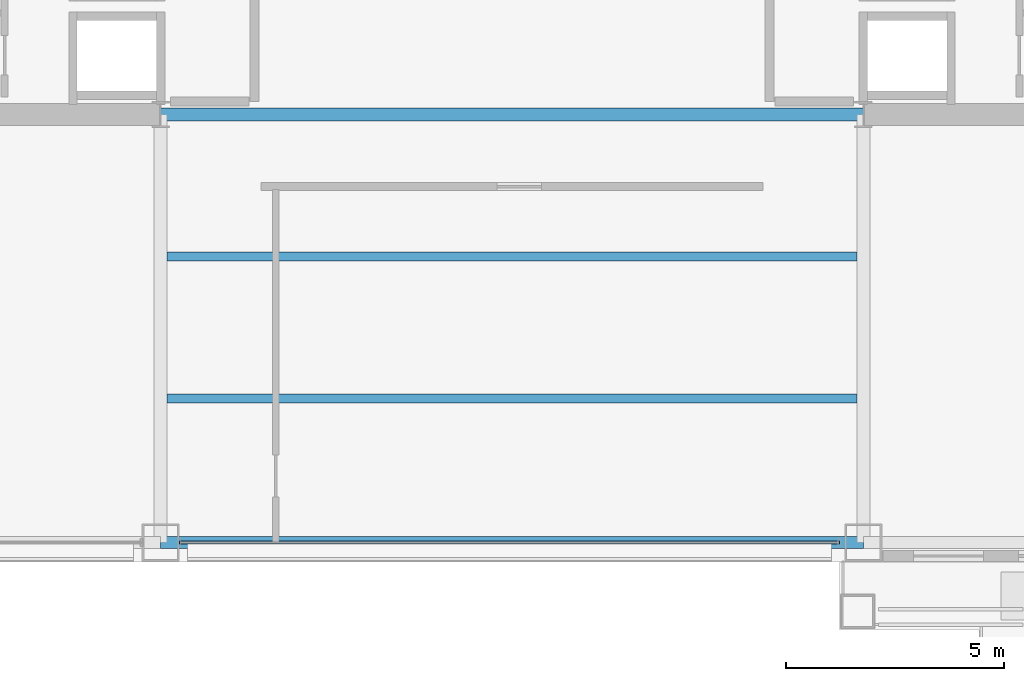
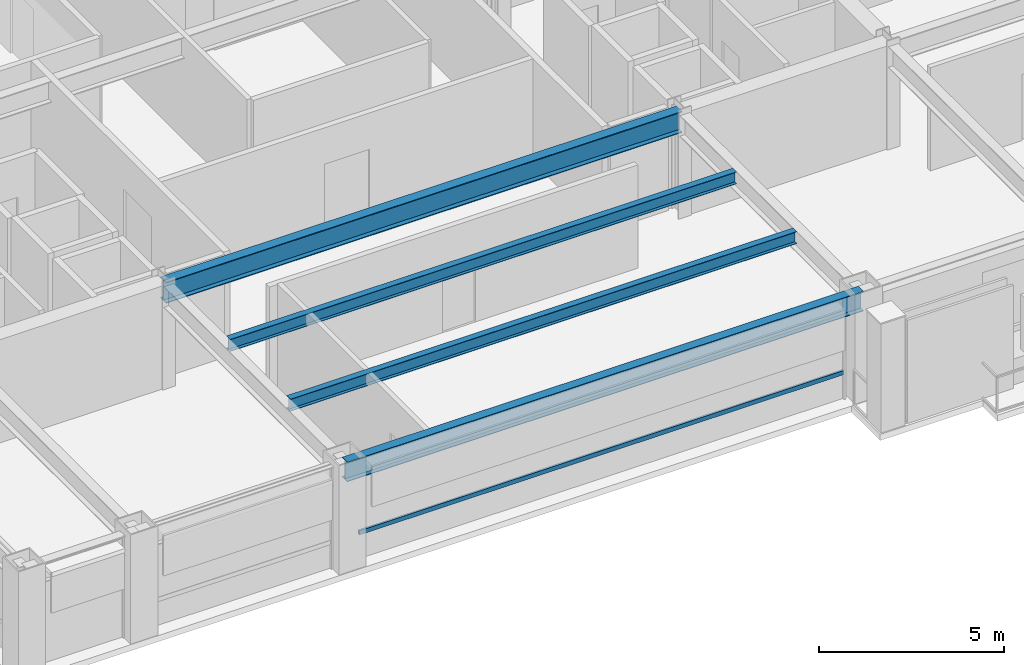
# One storey, part 6 of 30: 4 beams, 1 member, 1 element without a shape of its own.
"""IFC4 building model written with IfcOpenShell, lengths in metres."""

from ifc_helpers import new_model, si_unit, direction, frame, origin, origin_2d, place, context, subcontext, project, spatial, hollow_rectangle, i_section, extrude, material, layer, layer_set, material_profile, profile_set, type_object, element, aggregate, save


model = new_model("IFC4")

# Units and contexts
model_context = context("Model", 3, precision=1e-05, world=origin(), true_north=direction((0.0, 1.0)))
body_context = subcontext(model_context, "Body", "Model", "MODEL_VIEW")
ifc_project = project(units=[si_unit("LENGTHUNIT", "METRE"), si_unit("AREAUNIT", "SQUARE_METRE"), si_unit("VOLUMEUNIT", "CUBIC_METRE"), si_unit("PLANEANGLEUNIT", "RADIAN"), si_unit("MASSUNIT", "GRAM", prefix="KILO")], contexts=[model_context])

# Site, building, storey
site_placement = place(None, origin())
site = spatial("IfcSite", under=ifc_project, at=site_placement, CompositionType="ELEMENT")
building_placement = place(site_placement, origin())
building = spatial("IfcBuilding", under=site, at=building_placement, Name="Brelmoor Portico Tower", CompositionType="ELEMENT")
storey_placement = place(building_placement, frame((0.0, 0.0, 102.60009765625)))
storey = spatial("IfcBuildingStorey", under=building, at=storey_placement, Name="L26", CompositionType="ELEMENT", Elevation=102.60009765625)

# Beams
ifc_material_1 = material(Name="Steel Q355B", Category="steel")
ifc_material_profile_1 = material_profile(ifc_material_1, i_section(OverallWidth=0.199951171875, OverallDepth=0.39990234375, WebThickness=0.008056640625, FlangeThickness=0.012939453125, at=origin_2d()), Name="HN 400x200x8x13")
ifc_profile_set_1 = profile_set([ifc_material_profile_1], Name="Steel Q355B")
beam_type_1 = type_object("IfcBeamType", Name="BM-JS-400", PredefinedType="JOIST", material=ifc_profile_set_1)
for number, where, z_axis, x_axis, name in (
    (1, (-7.89990234375, -16.25, 3.199951171875), (1.0, 0.0, 0.0), (0.0, 1.0, 0.0), "L26 Secondary Composite Joist JS-C01"),
    (2, (-7.89990234375, -13.0, 3.199951171875), (1.0, 0.0, 0.0), (0.0, 1.0, 0.0), "L26 Secondary Composite Joist JS-C02"),
):
    element("IfcBeam", number, at=place(storey_placement, frame(where, z_axis=z_axis, x_axis=x_axis)), inside=storey, type_object=beam_type_1, Name=name, PredefinedType="JOIST", context=body_context, shape_type="SweptSolid", body=[
        extrude(i_section(OverallWidth=0.199951171875, OverallDepth=0.39990234375, WebThickness=0.008056640625, FlangeThickness=0.012939453125, at=origin_2d()), origin(), (0.0, 0.0, 1.0), 15.7998046875),
    ])
ifc_material_profile_2 = material_profile(ifc_material_1, i_section(OverallWidth=0.300048828125, OverallDepth=0.699951171875, WebThickness=0.012939453125, FlangeThickness=0.02392578125, at=origin_2d()), Name="HN 700x300x13x24")
ifc_profile_set_2 = profile_set([ifc_material_profile_2], Name="Steel Q355B")
beam_type_2 = type_object("IfcBeamType", Name="BM-PG-700", PredefinedType="BEAM", material=ifc_profile_set_2)
beam_1_placement = place(storey_placement, frame((-8.050048828125, -9.75, 3.0498046875), z_axis=(1.0, 0.0, 0.0), x_axis=(0.0, 1.0, 0.0)))
element("IfcBeam", 3, at=beam_1_placement, inside=storey, type_object=beam_type_2, Name="L26 Primary Floor Girder PG-16", PredefinedType="BEAM", context=body_context, shape_type="SweptSolid", body=[
    extrude(i_section(OverallWidth=0.300048828125, OverallDepth=0.699951171875, WebThickness=0.012939453125, FlangeThickness=0.02392578125, at=origin_2d()), origin(), (0.0, 0.0, 1.0), 16.10009765625),
])
ifc_material_profile_3 = material_profile(ifc_material_1, i_section(OverallWidth=0.280029296875, OverallDepth=0.64990234375, WebThickness=0.012939453125, FlangeThickness=0.02197265625, at=origin_2d()), Name="HN 650x280x13x22")
ifc_profile_set_3 = profile_set([ifc_material_profile_3], Name="Steel Q355B")
beam_type_3 = type_object("IfcBeamType", Name="BM-SP-650", PredefinedType="SPANDREL", material=ifc_profile_set_3)
beam_2_placement = place(storey_placement, frame((-8.050048828125, -19.550048828125, 3.074951171875), z_axis=(1.0, 0.0, 0.0), x_axis=(0.0, 1.0, 0.0)))
element("IfcBeam", 4, at=beam_2_placement, inside=storey, type_object=beam_type_3, Name="L26 Perimeter Spandrel Beam SP-03", PredefinedType="SPANDREL", context=body_context, shape_type="SweptSolid", body=[
    extrude(i_section(OverallWidth=0.280029296875, OverallDepth=0.64990234375, WebThickness=0.012939453125, FlangeThickness=0.02197265625, at=origin_2d()), origin(), (0.0, 0.0, 1.0), 16.10009765625),
])

# Curtain wall, member
ifc_material_2 = material(Name="Anodised Aluminium Alloy 6063-T6", Category="aluminium")
ifc_layer = layer(ifc_material_2, 0.179931640625)
ifc_layer_set = layer_set([ifc_layer], Name="Anodised Aluminium Alloy 6063-T6")
curtain_wall_type = type_object("IfcCurtainWallType", Name="CW-TOWER-Z2", PredefinedType="NOTDEFINED", material=ifc_layer_set)
curtain_wall_placement = place(storey_placement, origin())
curtain_wall = element("IfcCurtainWall", 5, at=curtain_wall_placement, inside=storey, type_object=curtain_wall_type, Name="L26 Curtain Wall CW-L26-1L-3", PredefinedType="NOTDEFINED")
ifc_material_profile_4 = material_profile(ifc_material_2, hollow_rectangle(XDim=0.06494140625, YDim=0.139892578125, WallThickness=0.00390625, at=origin_2d()), Name="ALU TRANSOM 65x140")
ifc_profile_set_4 = profile_set([ifc_material_profile_4], Name="Anodised Aluminium Alloy 6063-T6")
member_type = type_object("IfcMemberType", Name="MB-CW-TRAN-140", PredefinedType="USERDEFINED", material=ifc_profile_set_4)
member_placement = place(storey_placement, frame((-7.614990234375, -19.550048828125, 0.849853515625), z_axis=(1.0, 0.0, 0.0), x_axis=(0.0, 1.0, 0.0)))
member = element("IfcMember", 6, at=member_placement, type_object=member_type, Name="CW-L26-1L-3 Transom 1-00", ObjectType="TRANSOM", PredefinedType="USERDEFINED", context=body_context, shape_type="SweptSolid", body=[
    extrude(hollow_rectangle(XDim=0.06494140625, YDim=0.139892578125, WallThickness=0.00390625, at=origin_2d()), origin(), (0.0, 0.0, 1.0), 15.114990234375),
])
aggregate(curtain_wall, [member])

save(model, "model.ifc")
